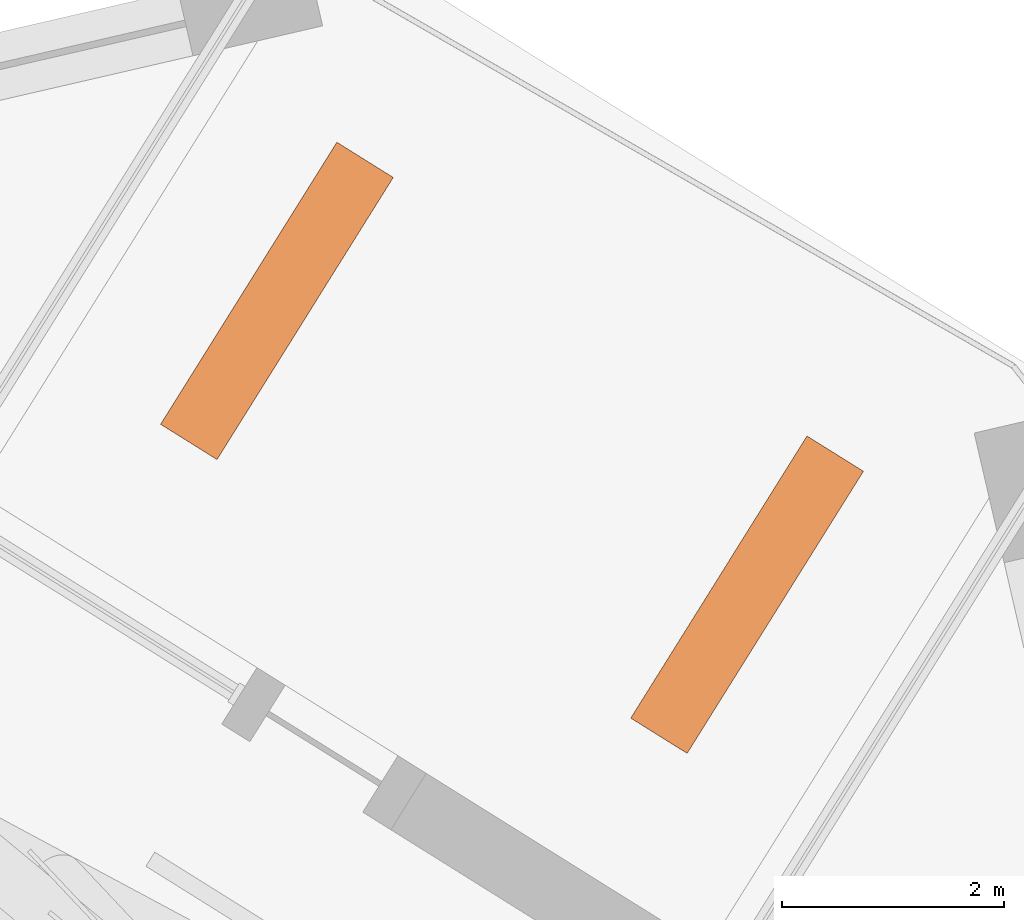
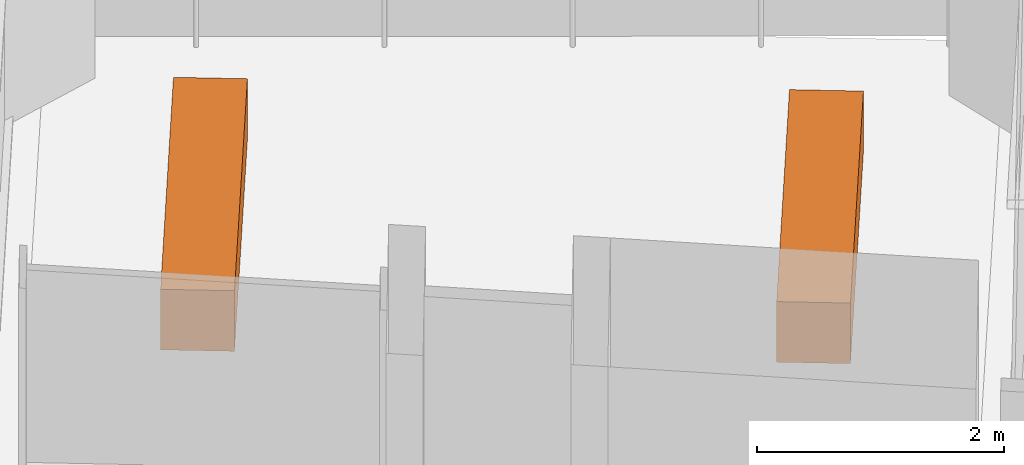
# One storey, part 17 of 17: 2 proxies.
"""IFC4 building model written with IfcOpenShell, lengths in metres."""

from ifc_helpers import new_model, si_unit, direction, frame, origin, origin_2d, place, context, subcontext, project, spatial, rectangle, extrude, element, save


model = new_model("IFC4")

# Units and contexts
model_context = context("Model", 3, precision=1e-05, world=origin(), true_north=direction((0.0, 1.0)))
body_context = subcontext(model_context, "Body", "Model", "MODEL_VIEW")
ifc_project = project(units=[si_unit("LENGTHUNIT", "METRE"), si_unit("AREAUNIT", "SQUARE_METRE"), si_unit("VOLUMEUNIT", "CUBIC_METRE"), si_unit("PLANEANGLEUNIT", "RADIAN"), si_unit("MASSUNIT", "GRAM", prefix="KILO")], contexts=[model_context])

# Site, building, storey
site_placement = place(None, origin())
site = spatial("IfcSite", under=ifc_project, at=site_placement, CompositionType="ELEMENT")
building_placement = place(site_placement, origin())
building = spatial("IfcBuilding", under=site, at=building_placement, Name="Dilmun Exchange Tower", CompositionType="ELEMENT")
storey_placement = place(building_placement, frame((0.0, 0.0, 76.5)))
storey = spatial("IfcBuildingStorey", under=building, at=storey_placement, Name="L17", CompositionType="ELEMENT", Elevation=76.5)

# Proxies
for number, where, z_axis, x_axis, name in (
    (1, (21.08642578125, 29.027587890625, 0.0), (0.0, 0.0, 1.0), (0.529919264233, 0.848048096156, 0.0), "PLANTER Date palm L17.1"),
    (2, (16.84619140625, 31.67724609375, 0.0), (0.0, 0.0, 1.0), (0.529919264233, 0.848048096156, 0.0), "PLANTER Date palm L17.2"),
):
    element("IfcBuildingElementProxy", number, at=place(storey_placement, frame(where, z_axis=z_axis, x_axis=x_axis)), inside=storey, Name=name, ObjectType="PLANTER", PredefinedType="USERDEFINED", context=body_context, shape_type="SweptSolid", body=[
        extrude(rectangle(XDim=3.0, YDim=0.60009765625, at=origin_2d()), origin(), (0.0, 0.0, 1.0), 0.60009765625),
    ])

save(model, "model.ifc")
